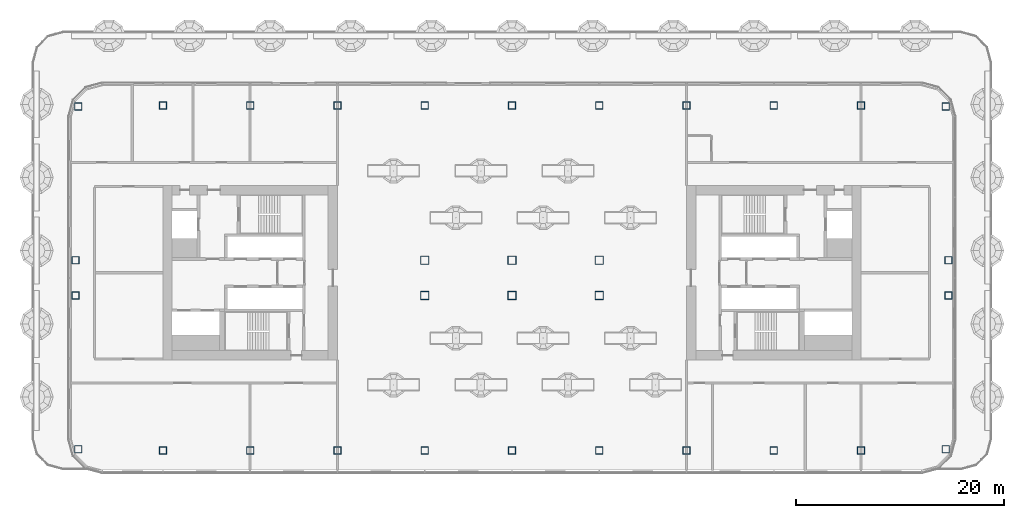
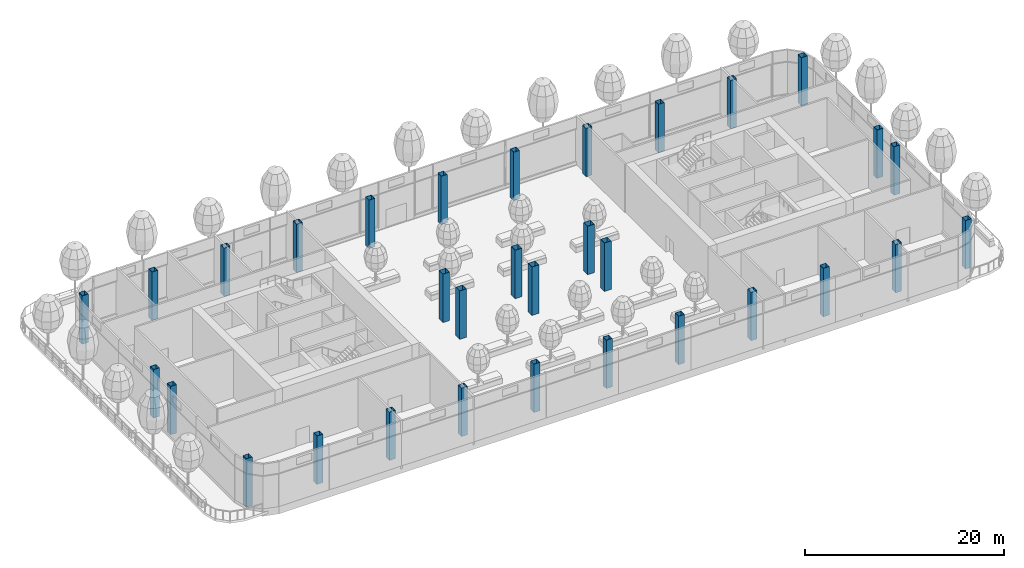
# One storey, part 1 of 43: 32 columns.
"""IFC4 building model written with IfcOpenShell, lengths in metres."""

import ifcopenshell
import ifcopenshell.guid

model = None  # the IFC model being written
_history = None  # IfcOwnerHistory: only IFC2X3 demands one
_inside = {}  # id of a spatial element -> (the spatial element, [elements in it])
_under = {}  # id of a project, library or spatial element -> (it, [spatial elements below it])
_declared = {}  # id of a project -> (the project, [libraries it declares])
_typed = {}  # id of a type object -> (the type object, [elements of that type])
_made_of = {}  # id of a material, layer set ... -> (it, [elements and type objects made of it])


def new_model(schema):
    """Start an empty IFC model of exactly this schema.

    Asked for "IFC4X3", IfcOpenShell would pick the latest addendum, in which some entities
    have other attributes; the version numbers below select the first issue.
    IFC2X3 requires an IfcOwnerHistory on every rooted entity: one is made here for all.
    """
    global model, _history
    if schema == "IFC4X3":
        model = ifcopenshell.file(schema_version=(4, 3, 0, 0))
    else:
        model = ifcopenshell.file(schema=schema)
    _inside.clear()
    _under.clear()
    _declared.clear()
    _typed.clear()
    _made_of.clear()
    _history = None
    if model.schema == "IFC2X3":
        org = make("IfcOrganization", Name="unknown")
        user = make(
            "IfcPersonAndOrganization",
            ThePerson=make("IfcPerson", FamilyName="unknown"),
            TheOrganization=org,
        )
        app = make(
            "IfcApplication",
            ApplicationDeveloper=org,
            Version="unknown",
            ApplicationFullName="unknown",
            ApplicationIdentifier="unknown",
        )
        _history = make(
            "IfcOwnerHistory",
            OwningUser=user,
            OwningApplication=app,
            ChangeAction="ADDED",
            CreationDate=0,
        )
    return model


def make(cls, **values):
    """One entity of the class cls with the attributes given. An attribute that is None is left unset."""
    return model.create_entity(
        cls, **{name: value for name, value in values.items() if value is not None}
    )


def rooted(cls, **values):
    """An entity with a GlobalId (a new one), such as an element, a storey or a relation."""
    return make(cls, GlobalId=ifcopenshell.guid.new(), OwnerHistory=_history, **values)


def si_unit(unit_type, name, prefix=None):
    """IfcSIUnit, for example si_unit("LENGTHUNIT", "METRE", prefix="MILLI")."""
    return make("IfcSIUnit", UnitType=unit_type, Prefix=prefix, Name=name)


def assignment(units):
    """IfcUnitAssignment: the units of a project."""
    return None if units is None else make("IfcUnitAssignment", Units=units)


def point(xyz):
    """IfcCartesianPoint."""
    return None if xyz is None else make("IfcCartesianPoint", Coordinates=xyz)


def direction(xyz):
    """IfcDirection."""
    return None if xyz is None else make("IfcDirection", DirectionRatios=xyz)


def frame(location, z_axis=None, x_axis=None):
    """IfcAxis2Placement3D, a coordinate frame: its origin and axes. An axis left out is left unset."""
    return make(
        "IfcAxis2Placement3D",
        Location=point(location),
        Axis=direction(z_axis),
        RefDirection=direction(x_axis),
    )


def frame_2d(location, x_axis=None):
    """IfcAxis2Placement2D, a coordinate frame in the plane: its origin and x axis."""
    return make(
        "IfcAxis2Placement2D", Location=point(location), RefDirection=direction(x_axis)
    )


def origin():
    """The frame at (0, 0, 0) with its axes left unset."""
    return frame((0.0, 0.0, 0.0))


def origin_2d():
    """The frame at (0, 0) in the plane with its x axis left unset."""
    return frame_2d((0.0, 0.0))


def place(relative_to, where):
    """IfcLocalPlacement: puts the frame where relative to a parent placement (None: the world)."""
    return make(
        "IfcLocalPlacement", PlacementRelTo=relative_to, RelativePlacement=where
    )


def context(
    kind, dimensions, precision=None, world=None, true_north=None, identifier=None
):
    """IfcGeometricRepresentationContext, for example the 3D "Model" context."""
    return make(
        "IfcGeometricRepresentationContext",
        ContextIdentifier=identifier,
        ContextType=kind,
        CoordinateSpaceDimension=dimensions,
        Precision=precision,
        WorldCoordinateSystem=world,
        TrueNorth=true_north,
    )


def subcontext(parent, identifier, kind, view, scale=None):
    """IfcGeometricRepresentationSubContext, for example "Body" below "Model"."""
    return make(
        "IfcGeometricRepresentationSubContext",
        ContextIdentifier=identifier,
        ContextType=kind,
        ParentContext=parent,
        TargetScale=scale,
        TargetView=view,
    )


def project(units=None, contexts=None):
    """IfcProject with its units and contexts."""
    return rooted(
        "IfcProject",
        Name="project",
        RepresentationContexts=contexts,
        UnitsInContext=assignment(units),
    )


def spatial(cls, under=None, at=None, **own):
    """A site, building, storey or space (cls), placed at a placement, below another one or the project."""
    s = rooted(cls, ObjectPlacement=at, **own)
    if under is not None:
        _under.setdefault(under.id(), (under, []))[1].append(s)
    return s


def profile(cls, at=None, kind="AREA", **sizes):
    """A parametric profile (cls). Its sizes go by their IFC names, for example OverallWidth=200.0."""
    return make(cls, ProfileType=kind, Position=at, **sizes)


def hollow_rectangle(**sizes):
    """IfcRectangleHollowProfileDef."""
    return profile("IfcRectangleHollowProfileDef", **sizes)


def extrude(swept, where, along, depth):
    """IfcExtrudedAreaSolid: the profile swept, set in the frame where, extruded along a direction by depth."""
    return make(
        "IfcExtrudedAreaSolid",
        SweptArea=swept,
        Position=where,
        ExtrudedDirection=direction(along),
        Depth=depth,
    )


def shape(context_of_items, identifier, shape_type, items):
    """IfcShapeRepresentation: the items that make up one representation, for example the "Body"."""
    return make(
        "IfcShapeRepresentation",
        ContextOfItems=context_of_items,
        RepresentationIdentifier=identifier,
        RepresentationType=shape_type,
        Items=items,
    )


def material(Name=None, Category=None):
    """IfcMaterial."""
    return make("IfcMaterial", Name=Name, Category=Category)


def material_profile(
    of_material, cross_section, Name=None, Category=None, Priority=None
):
    """IfcMaterialProfile: a cross section and its material."""
    return make(
        "IfcMaterialProfile",
        Name=Name,
        Material=of_material,
        Profile=cross_section,
        Priority=Priority,
        Category=Category,
    )


def profile_set(profiles, Name=None, composite=None):
    """IfcMaterialProfileSet."""
    return make(
        "IfcMaterialProfileSet",
        Name=Name,
        MaterialProfiles=profiles,
        CompositeProfile=composite,
    )


def made_of(thing, what):
    """Note that an element or type object is made of a material, layer set ...; save() writes the relation."""
    if what is not None:
        _made_of.setdefault(what.id(), (what, []))[1].append(thing)
    return thing


def type_object(cls, material=None, **own):
    """A type object (cls), such as IfcWallType, which elements share."""
    return made_of(rooted(cls, **own), material)


def element(
    cls,
    number,
    at=None,
    inside=None,
    cuts=None,
    type_object=None,
    material=None,
    context=None,
    identifier="Body",
    shape_type=None,
    held_by="IfcProductDefinitionShape",
    body=None,
    shapes=None,
    **own,
):
    """One element of the class cls, such as IfcWall. Its Tag is "e" and its number.

    at: its placement. inside: the storey or other place that contains it. cuts: it is an
    opening in that element (IfcRelVoidsElement). A single representation is given by context,
    identifier, shape_type and body (its items); several are given by shapes. held_by: the class
    of the entity that holds the representations. save() writes the other relations.
    """
    e = rooted(cls, Tag="e%d" % number, ObjectPlacement=at, **own)
    if body is not None:
        shapes = [shape(context, identifier, shape_type, body)]
    if shapes is not None:
        e.Representation = make(held_by, Representations=shapes)
    if inside is not None:
        _inside.setdefault(inside.id(), (inside, []))[1].append(e)
    if cuts is not None:
        rooted(
            "IfcRelVoidsElement", RelatingBuildingElement=cuts, RelatedOpeningElement=e
        )
    if type_object is not None:
        _typed.setdefault(type_object.id(), (type_object, []))[1].append(e)
    return made_of(e, material)


def aggregate(whole, parts):
    """IfcRelAggregates: a whole, such as a stair, and the parts it consists of."""
    return rooted("IfcRelAggregates", RelatingObject=whole, RelatedObjects=parts)


def save(model, path):
    """Write the relations noted so far, then the file.

    IfcRelAggregates (storeys below a building ...), IfcRelContainedInSpatialStructure (elements
    in a storey), IfcRelDefinesByType, IfcRelAssociatesMaterial and IfcRelDeclares: one each for
    every whole, place, type object, material and project.
    """
    for whole, parts in _under.values():
        aggregate(whole, parts)
    for where, things in _inside.values():
        rooted(
            "IfcRelContainedInSpatialStructure",
            RelatedElements=things,
            RelatingStructure=where,
        )
    for kind, things in _typed.values():
        rooted("IfcRelDefinesByType", RelatedObjects=things, RelatingType=kind)
    for what, things in _made_of.values():
        rooted("IfcRelAssociatesMaterial", RelatedObjects=things, RelatingMaterial=what)
    for by, libraries in _declared.values():
        rooted("IfcRelDeclares", RelatingContext=by, RelatedDefinitions=libraries)
    model.write(path)


model = new_model("IFC4")

# Units and contexts
model_context = context("Model", 3, precision=1e-05, world=origin(), true_north=direction((0.0, 1.0)))
body_context = subcontext(model_context, "Body", "Model", "MODEL_VIEW")
ifc_project = project(units=[si_unit("LENGTHUNIT", "METRE"), si_unit("AREAUNIT", "SQUARE_METRE"), si_unit("VOLUMEUNIT", "CUBIC_METRE"), si_unit("PLANEANGLEUNIT", "RADIAN"), si_unit("MASSUNIT", "GRAM", prefix="KILO")], contexts=[model_context])

# Site, building, storey
site_placement = place(None, origin())
site = spatial("IfcSite", under=ifc_project, at=site_placement, CompositionType="ELEMENT")
building_placement = place(site_placement, origin())
building = spatial("IfcBuilding", under=site, at=building_placement, Name="Hakoniwa Tower and Hamabe Station Hall", CompositionType="ELEMENT")
storey_placement = place(building_placement, frame((0.0, 0.0, 124.60009765625)))
storey = spatial("IfcBuildingStorey", under=building, at=storey_placement, Name="L35", CompositionType="ELEMENT", Elevation=124.60009765625)

# Columns
ifc_material_1 = material(Name="Steel SN490C", Category="steel")
ifc_material_profile_1 = material_profile(ifc_material_1, hollow_rectangle(XDim=0.699951171875, YDim=0.699951171875, WallThickness=0.028076171875, at=origin_2d()), Name="BX-700x700x28")
ifc_profile_set_1 = profile_set([ifc_material_profile_1], Name="Steel SN490C")
column_type_1 = type_object("IfcColumnType", Name="COLUMN BX-700x700x28", PredefinedType="COLUMN", material=ifc_profile_set_1)
for number, where, z_axis, x_axis, name in (
    (1, (-41.74853515625, -16.99365234375, 0.0), (0.0, 0.0, 1.0), (1.0, 0.0, 0.0), "Column B3-2-A3"),
    (2, (-42.0, -2.199951171875, 0.0), (0.0, 0.0, 1.0), (1.0, 0.0, 0.0), "Column B3-2-C3"),
    (3, (-42.0, 1.199951171875, 0.0), (0.0, 0.0, 1.0), (1.0, 0.0, 0.0), "Column B3-2-D3"),
    (4, (-41.74853515625, 15.99365234375, 0.0), (0.0, 0.0, 1.0), (1.0, 0.0, 0.0), "Column B3-2-F3"),
    (5, (-33.60009765625, -17.10009765625, 0.0), (0.0, 0.0, 1.0), (1.0, 0.0, 0.0), "Column B3-3-A3"),
    (6, (-33.60009765625, 16.10009765625, 0.0), (0.0, 0.0, 1.0), (1.0, 0.0, 0.0), "Column B3-3-F3"),
    (7, (-25.199951171875, -17.10009765625, 0.0), (0.0, 0.0, 1.0), (1.0, 0.0, 0.0), "Column B3-4-A3"),
    (8, (-25.199951171875, 16.10009765625, 0.0), (0.0, 0.0, 1.0), (1.0, 0.0, 0.0), "Column B3-4-F3"),
    (9, (-16.800048828125, -17.10009765625, 0.0), (0.0, 0.0, 1.0), (1.0, 0.0, 0.0), "Column B3-5-A3"),
    (10, (-16.800048828125, 16.10009765625, 0.0), (0.0, 0.0, 1.0), (1.0, 0.0, 0.0), "Column B3-5-F3"),
    (11, (-8.39990234375, -17.10009765625, 0.0), (0.0, 0.0, 1.0), (1.0, 0.0, 0.0), "Column B3-6-A3"),
    (12, (-8.39990234375, 16.10009765625, 0.0), (0.0, 0.0, 1.0), (1.0, 0.0, 0.0), "Column B3-6-F3"),
    (13, (0.0, -17.10009765625, 0.0), (0.0, 0.0, 1.0), (1.0, 0.0, 0.0), "Column B3-7-A3"),
    (14, (0.0, 16.10009765625, 0.0), (0.0, 0.0, 1.0), (1.0, 0.0, 0.0), "Column B3-7-F3"),
    (15, (8.39990234375, -17.10009765625, 0.0), (0.0, 0.0, 1.0), (1.0, 0.0, 0.0), "Column B3-8-A3"),
    (16, (8.39990234375, 16.10009765625, 0.0), (0.0, 0.0, 1.0), (1.0, 0.0, 0.0), "Column B3-8-F3"),
    (17, (16.800048828125, -17.10009765625, 0.0), (0.0, 0.0, 1.0), (1.0, 0.0, 0.0), "Column B3-9-A3"),
    (18, (16.800048828125, 16.10009765625, 0.0), (0.0, 0.0, 1.0), (1.0, 0.0, 0.0), "Column B3-9-F3"),
    (19, (25.199951171875, -17.10009765625, 0.0), (0.0, 0.0, 1.0), (1.0, 0.0, 0.0), "Column B3-10-A3"),
    (20, (25.199951171875, 16.10009765625, 0.0), (0.0, 0.0, 1.0), (1.0, 0.0, 0.0), "Column B3-10-F3"),
    (21, (33.60009765625, -17.10009765625, 0.0), (0.0, 0.0, 1.0), (1.0, 0.0, 0.0), "Column B3-11-A3"),
    (22, (33.60009765625, 16.10009765625, 0.0), (0.0, 0.0, 1.0), (1.0, 0.0, 0.0), "Column B3-11-F3"),
    (23, (41.74853515625, -16.99365234375, 0.0), (0.0, 0.0, 1.0), (1.0, 0.0, 0.0), "Column B3-12-A3"),
    (24, (42.0, -2.199951171875, 0.0), (0.0, 0.0, 1.0), (1.0, 0.0, 0.0), "Column B3-12-C3"),
    (25, (42.0, 1.199951171875, 0.0), (0.0, 0.0, 1.0), (1.0, 0.0, 0.0), "Column B3-12-D3"),
    (26, (41.74853515625, 15.99365234375, 0.0), (0.0, 0.0, 1.0), (1.0, 0.0, 0.0), "Column B3-12-F3"),
):
    element("IfcColumn", number, at=place(storey_placement, frame(where, z_axis=z_axis, x_axis=x_axis)), inside=storey, type_object=column_type_1, Name=name, PredefinedType="COLUMN", context=body_context, shape_type="SweptSolid", body=[
        extrude(hollow_rectangle(XDim=0.699951171875, YDim=0.699951171875, WallThickness=0.028076171875, at=origin_2d()), origin(), (0.0, 0.0, 1.0), 5.949951171875),
    ])
ifc_material_2 = material(Name="Steel SN490C", Category="steel")
ifc_material_profile_2 = material_profile(ifc_material_2, hollow_rectangle(XDim=0.800048828125, YDim=0.800048828125, WallThickness=0.031982421875, at=origin_2d()), Name="BX-800x800x32")
ifc_profile_set_2 = profile_set([ifc_material_profile_2], Name="Steel SN490C")
column_type_2 = type_object("IfcColumnType", Name="COLUMN BX-800x800x32", PredefinedType="COLUMN", material=ifc_profile_set_2)
for number, where, z_axis, x_axis, name in (
    (27, (-8.39990234375, -2.199951171875, 0.0), (0.0, 0.0, 1.0), (1.0, 0.0, 0.0), "Column B3-6-C3"),
    (28, (-8.39990234375, 1.199951171875, 0.0), (0.0, 0.0, 1.0), (1.0, 0.0, 0.0), "Column B3-6-D3"),
    (29, (0.0, -2.199951171875, 0.0), (0.0, 0.0, 1.0), (1.0, 0.0, 0.0), "Column B3-7-C3"),
    (30, (0.0, 1.199951171875, 0.0), (0.0, 0.0, 1.0), (1.0, 0.0, 0.0), "Column B3-7-D3"),
    (31, (8.39990234375, -2.199951171875, 0.0), (0.0, 0.0, 1.0), (1.0, 0.0, 0.0), "Column B3-8-C3"),
    (32, (8.39990234375, 1.199951171875, 0.0), (0.0, 0.0, 1.0), (1.0, 0.0, 0.0), "Column B3-8-D3"),
):
    element("IfcColumn", number, at=place(storey_placement, frame(where, z_axis=z_axis, x_axis=x_axis)), inside=storey, type_object=column_type_2, Name=name, PredefinedType="COLUMN", context=body_context, shape_type="SweptSolid", body=[
        extrude(hollow_rectangle(XDim=0.800048828125, YDim=0.800048828125, WallThickness=0.031982421875, at=origin_2d()), origin(), (0.0, 0.0, 1.0), 5.949951171875),
    ])

save(model, "model.ifc")
